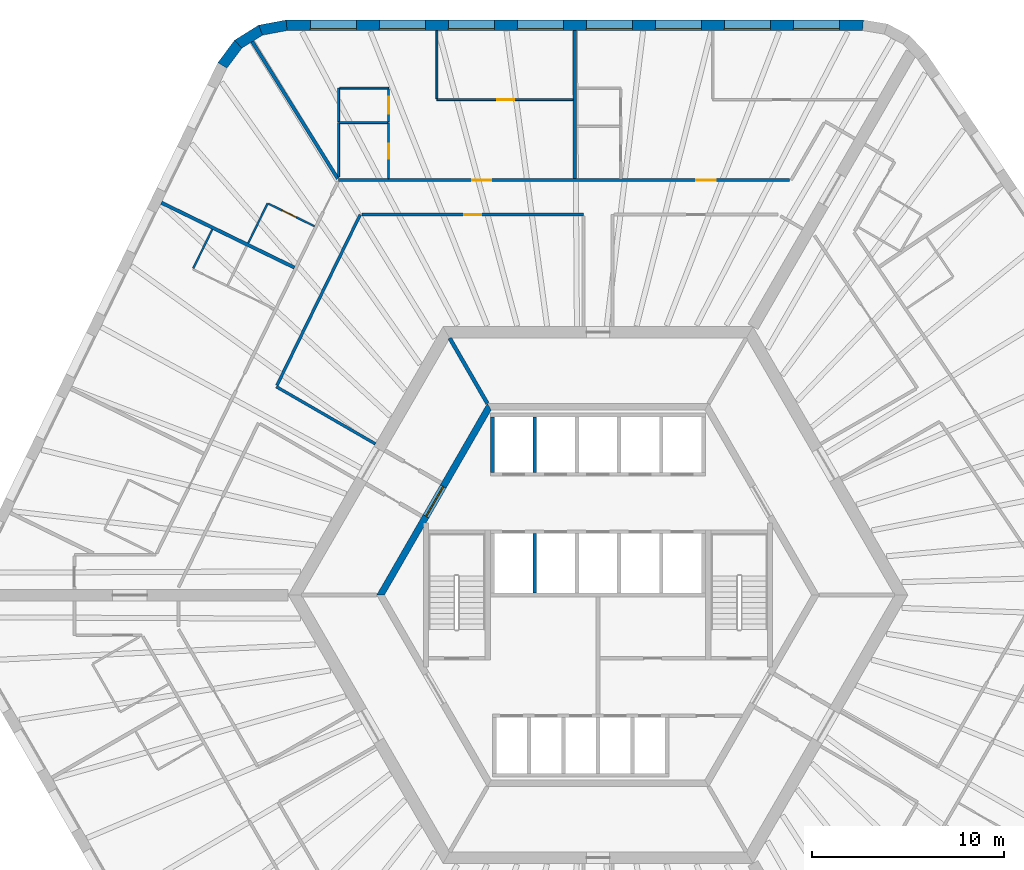
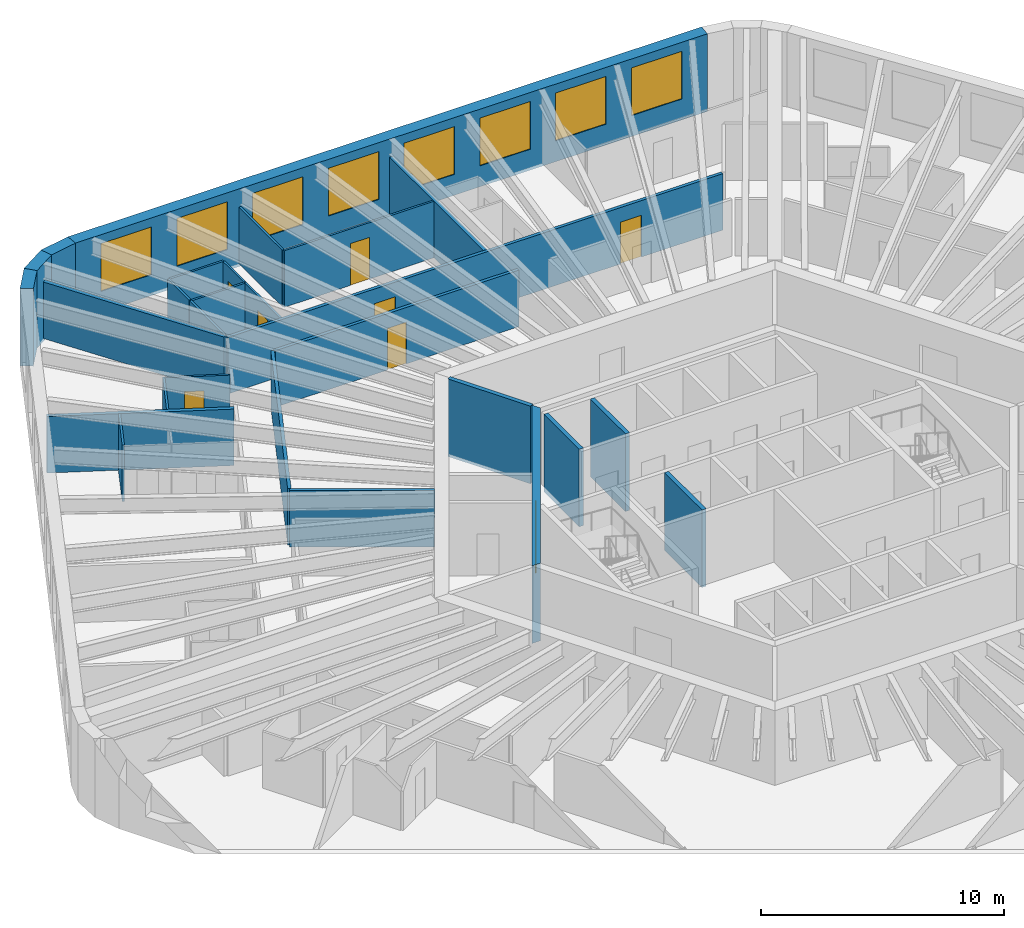
# One storey, part 8 of 12: 27 walls, 8 doors, 8 windows, 16 openings.
"""IFC4 building model written with IfcOpenShell, lengths in metres."""

import ifcopenshell
import ifcopenshell.guid

model = None  # the IFC model being written
_history = None  # IfcOwnerHistory: only IFC2X3 demands one
_inside = {}  # id of a spatial element -> (the spatial element, [elements in it])
_under = {}  # id of a project, library or spatial element -> (it, [spatial elements below it])
_declared = {}  # id of a project -> (the project, [libraries it declares])
_typed = {}  # id of a type object -> (the type object, [elements of that type])
_made_of = {}  # id of a material, layer set ... -> (it, [elements and type objects made of it])


def new_model(schema):
    """Start an empty IFC model of exactly this schema.

    Asked for "IFC4X3", IfcOpenShell would pick the latest addendum, in which some entities
    have other attributes; the version numbers below select the first issue.
    IFC2X3 requires an IfcOwnerHistory on every rooted entity: one is made here for all.
    """
    global model, _history
    if schema == "IFC4X3":
        model = ifcopenshell.file(schema_version=(4, 3, 0, 0))
    else:
        model = ifcopenshell.file(schema=schema)
    _inside.clear()
    _under.clear()
    _declared.clear()
    _typed.clear()
    _made_of.clear()
    _history = None
    if model.schema == "IFC2X3":
        org = make("IfcOrganization", Name="unknown")
        user = make(
            "IfcPersonAndOrganization",
            ThePerson=make("IfcPerson", FamilyName="unknown"),
            TheOrganization=org,
        )
        app = make(
            "IfcApplication",
            ApplicationDeveloper=org,
            Version="unknown",
            ApplicationFullName="unknown",
            ApplicationIdentifier="unknown",
        )
        _history = make(
            "IfcOwnerHistory",
            OwningUser=user,
            OwningApplication=app,
            ChangeAction="ADDED",
            CreationDate=0,
        )
    return model


def make(cls, **values):
    """One entity of the class cls with the attributes given. An attribute that is None is left unset."""
    return model.create_entity(
        cls, **{name: value for name, value in values.items() if value is not None}
    )


def rooted(cls, **values):
    """An entity with a GlobalId (a new one), such as an element, a storey or a relation."""
    return make(cls, GlobalId=ifcopenshell.guid.new(), OwnerHistory=_history, **values)


def si_unit(unit_type, name, prefix=None):
    """IfcSIUnit, for example si_unit("LENGTHUNIT", "METRE", prefix="MILLI")."""
    return make("IfcSIUnit", UnitType=unit_type, Prefix=prefix, Name=name)


def assignment(units):
    """IfcUnitAssignment: the units of a project."""
    return None if units is None else make("IfcUnitAssignment", Units=units)


def point(xyz):
    """IfcCartesianPoint."""
    return None if xyz is None else make("IfcCartesianPoint", Coordinates=xyz)


def direction(xyz):
    """IfcDirection."""
    return None if xyz is None else make("IfcDirection", DirectionRatios=xyz)


def frame(location, z_axis=None, x_axis=None):
    """IfcAxis2Placement3D, a coordinate frame: its origin and axes. An axis left out is left unset."""
    return make(
        "IfcAxis2Placement3D",
        Location=point(location),
        Axis=direction(z_axis),
        RefDirection=direction(x_axis),
    )


def frame_2d(location, x_axis=None):
    """IfcAxis2Placement2D, a coordinate frame in the plane: its origin and x axis."""
    return make(
        "IfcAxis2Placement2D", Location=point(location), RefDirection=direction(x_axis)
    )


def origin():
    """The frame at (0, 0, 0) with its axes left unset."""
    return frame((0.0, 0.0, 0.0))


def place(relative_to, where):
    """IfcLocalPlacement: puts the frame where relative to a parent placement (None: the world)."""
    return make(
        "IfcLocalPlacement", PlacementRelTo=relative_to, RelativePlacement=where
    )


def context(
    kind, dimensions, precision=None, world=None, true_north=None, identifier=None
):
    """IfcGeometricRepresentationContext, for example the 3D "Model" context."""
    return make(
        "IfcGeometricRepresentationContext",
        ContextIdentifier=identifier,
        ContextType=kind,
        CoordinateSpaceDimension=dimensions,
        Precision=precision,
        WorldCoordinateSystem=world,
        TrueNorth=true_north,
    )


def subcontext(parent, identifier, kind, view, scale=None):
    """IfcGeometricRepresentationSubContext, for example "Body" below "Model"."""
    return make(
        "IfcGeometricRepresentationSubContext",
        ContextIdentifier=identifier,
        ContextType=kind,
        ParentContext=parent,
        TargetScale=scale,
        TargetView=view,
    )


def project(units=None, contexts=None):
    """IfcProject with its units and contexts."""
    return rooted(
        "IfcProject",
        Name="project",
        RepresentationContexts=contexts,
        UnitsInContext=assignment(units),
    )


def spatial(cls, under=None, at=None, **own):
    """A site, building, storey or space (cls), placed at a placement, below another one or the project."""
    s = rooted(cls, ObjectPlacement=at, **own)
    if under is not None:
        _under.setdefault(under.id(), (under, []))[1].append(s)
    return s


def polyline(points):
    """IfcPolyline through the points."""
    return make("IfcPolyline", Points=[point(p) for p in points])


def profile(cls, at=None, kind="AREA", **sizes):
    """A parametric profile (cls). Its sizes go by their IFC names, for example OverallWidth=200.0."""
    return make(cls, ProfileType=kind, Position=at, **sizes)


def rectangle(**sizes):
    """IfcRectangleProfileDef."""
    return profile("IfcRectangleProfileDef", **sizes)


def outline(outer, holes=None, kind="AREA"):
    """IfcArbitraryClosedProfileDef: a profile drawn as a closed curve; with holes, ...WithVoids."""
    if holes is None:
        return make("IfcArbitraryClosedProfileDef", ProfileType=kind, OuterCurve=outer)
    return make(
        "IfcArbitraryProfileDefWithVoids",
        ProfileType=kind,
        OuterCurve=outer,
        InnerCurves=holes,
    )


def extrude(swept, where, along, depth):
    """IfcExtrudedAreaSolid: the profile swept, set in the frame where, extruded along a direction by depth."""
    return make(
        "IfcExtrudedAreaSolid",
        SweptArea=swept,
        Position=where,
        ExtrudedDirection=direction(along),
        Depth=depth,
    )


def shape(context_of_items, identifier, shape_type, items):
    """IfcShapeRepresentation: the items that make up one representation, for example the "Body"."""
    return make(
        "IfcShapeRepresentation",
        ContextOfItems=context_of_items,
        RepresentationIdentifier=identifier,
        RepresentationType=shape_type,
        Items=items,
    )


def material(Name=None, Category=None):
    """IfcMaterial."""
    return make("IfcMaterial", Name=Name, Category=Category)


def layer(
    of_material, thickness, ventilated=None, Name=None, Category=None, Priority=None
):
    """IfcMaterialLayer: one layer of a wall or slab, of a material (None: an air gap)."""
    return make(
        "IfcMaterialLayer",
        Material=of_material,
        LayerThickness=thickness,
        IsVentilated=ventilated,
        Name=Name,
        Category=Category,
        Priority=Priority,
    )


def layer_set(layers, Name=None):
    """IfcMaterialLayerSet."""
    return make("IfcMaterialLayerSet", MaterialLayers=layers, LayerSetName=Name)


def made_of(thing, what):
    """Note that an element or type object is made of a material, layer set ...; save() writes the relation."""
    if what is not None:
        _made_of.setdefault(what.id(), (what, []))[1].append(thing)
    return thing


def type_object(cls, material=None, **own):
    """A type object (cls), such as IfcWallType, which elements share."""
    return made_of(rooted(cls, **own), material)


def element(
    cls,
    number,
    at=None,
    inside=None,
    cuts=None,
    type_object=None,
    material=None,
    context=None,
    identifier="Body",
    shape_type=None,
    held_by="IfcProductDefinitionShape",
    body=None,
    shapes=None,
    **own,
):
    """One element of the class cls, such as IfcWall. Its Tag is "e" and its number.

    at: its placement. inside: the storey or other place that contains it. cuts: it is an
    opening in that element (IfcRelVoidsElement). A single representation is given by context,
    identifier, shape_type and body (its items); several are given by shapes. held_by: the class
    of the entity that holds the representations. save() writes the other relations.
    """
    e = rooted(cls, Tag="e%d" % number, ObjectPlacement=at, **own)
    if body is not None:
        shapes = [shape(context, identifier, shape_type, body)]
    if shapes is not None:
        e.Representation = make(held_by, Representations=shapes)
    if inside is not None:
        _inside.setdefault(inside.id(), (inside, []))[1].append(e)
    if cuts is not None:
        rooted(
            "IfcRelVoidsElement", RelatingBuildingElement=cuts, RelatedOpeningElement=e
        )
    if type_object is not None:
        _typed.setdefault(type_object.id(), (type_object, []))[1].append(e)
    return made_of(e, material)


def fill(opening, filler):
    """IfcRelFillsElement: the door or window that sits in an opening."""
    return rooted(
        "IfcRelFillsElement",
        RelatingOpeningElement=opening,
        RelatedBuildingElement=filler,
    )


def aggregate(whole, parts):
    """IfcRelAggregates: a whole, such as a stair, and the parts it consists of."""
    return rooted("IfcRelAggregates", RelatingObject=whole, RelatedObjects=parts)


def save(model, path):
    """Write the relations noted so far, then the file.

    IfcRelAggregates (storeys below a building ...), IfcRelContainedInSpatialStructure (elements
    in a storey), IfcRelDefinesByType, IfcRelAssociatesMaterial and IfcRelDeclares: one each for
    every whole, place, type object, material and project.
    """
    for whole, parts in _under.values():
        aggregate(whole, parts)
    for where, things in _inside.values():
        rooted(
            "IfcRelContainedInSpatialStructure",
            RelatedElements=things,
            RelatingStructure=where,
        )
    for kind, things in _typed.values():
        rooted("IfcRelDefinesByType", RelatedObjects=things, RelatingType=kind)
    for what, things in _made_of.values():
        rooted("IfcRelAssociatesMaterial", RelatedObjects=things, RelatingMaterial=what)
    for by, libraries in _declared.values():
        rooted("IfcRelDeclares", RelatingContext=by, RelatedDefinitions=libraries)
    model.write(path)


model = new_model("IFC4")

# Units and contexts
model_context = context("Model", 3, precision=1e-05, world=origin(), true_north=direction((0.0, 1.0)))
body_context = subcontext(model_context, "Body", "Model", "MODEL_VIEW")
ifc_project = project(units=[si_unit("LENGTHUNIT", "METRE"), si_unit("AREAUNIT", "SQUARE_METRE"), si_unit("VOLUMEUNIT", "CUBIC_METRE"), si_unit("PLANEANGLEUNIT", "RADIAN"), si_unit("MASSUNIT", "GRAM", prefix="KILO")], contexts=[model_context])

# Site, building, storey
site_placement = place(None, origin())
site = spatial("IfcSite", under=ifc_project, at=site_placement, CompositionType="ELEMENT")
building_placement = place(site_placement, origin())
building = spatial("IfcBuilding", under=site, at=building_placement, Name="Tarnside Tower", CompositionType="ELEMENT")
storey_placement = place(building_placement, frame((0.0, 0.0, 138.89990234375)))
storey = spatial("IfcBuildingStorey", under=building, at=storey_placement, Name="L32", CompositionType="ELEMENT", Elevation=138.89990234375)

# Wall
ifc_material_1 = material(Name="Gypsum board partition on steel studs", Category="steel")
ifc_layer_1 = layer(ifc_material_1, 0.10009765625)
ifc_layer_set_1 = layer_set([ifc_layer_1], Name="Bathroom wall 100")
wall_type_1 = type_object("IfcWallType", Name="Bathroom wall 100", PredefinedType="PARTITIONING", material=ifc_layer_set_1)
wall_1_placement = place(storey_placement, frame((-13.5283203125, 21.821044921875, 0.0), z_axis=(0.0, 0.0, 1.0), x_axis=(0.0, 1.0, 0.0)))
element("IfcWall", 1, at=wall_1_placement, inside=storey, type_object=wall_type_1, Name="Bathroom wall 10086", PredefinedType="PARTITIONING", context=body_context, shape_type="SweptSolid", body=[
    extrude(rectangle(XDim=2.828857421875, YDim=0.10009765625, at=frame_2d((1.41455078125, 0.0))), origin(), (0.0, 0.0, 1.0), 2.837890625),
])

# Wall, opening, door
wall_2_placement = place(storey_placement, frame((-10.928466796875, 24.64990234375, 0.0), z_axis=(0.0, 0.0, 1.0), x_axis=(0.0, -1.0, 0.0)))
wall_2 = element("IfcWall", 2, at=wall_2_placement, inside=storey, type_object=wall_type_1, Name="Bathroom wall 10087", PredefinedType="PARTITIONING", context=body_context, shape_type="SweptSolid", body=[
    extrude(rectangle(XDim=2.9248046875, YDim=0.10009765625, at=frame_2d((1.46240234375, 0.0))), origin(), (0.0, 0.0, 1.0), 2.837890625),
])
opening_1_placement = place(wall_2_placement, frame((1.10009765625, 0.0, 0.0)))
opening_1 = element("IfcOpeningElement", 3, at=opening_1_placement, cuts=wall_2, Name="Opening D-B1", PredefinedType="OPENING", context=body_context, shape_type="SweptSolid", body=[
    extrude(rectangle(XDim=0.800048828125, YDim=2.10009765625, at=frame_2d((0.39990234375, 1.050048828125))), frame((0.0, 0.06005859375, 0.0), z_axis=(0.0, -1.0, 0.0), x_axis=(1.0, 0.0, 0.0)), (0.0, 0.0, 1.0), 0.1201171875),
])
ifc_material_2 = material(Name="Timber door leaf", Category="wood")
door_type_1 = type_object("IfcDoorType", Name="Bathroom door 800", OperationType="NOTDEFINED", PredefinedType="DOOR", material=ifc_material_2)
door_1_placement = place(opening_1_placement, origin())
door_1 = element("IfcDoor", 4, at=door_1_placement, inside=storey, type_object=door_type_1, Name="Bathroom door 10006", OperationType="SINGLE_SWING_LEFT", OverallHeight=2.10009765625, OverallWidth=0.800048828125, PredefinedType="DOOR", context=body_context, shape_type="SweptSolid", body=[
    extrude(rectangle(XDim=0.800048828125, YDim=2.10009765625, at=frame_2d((0.39990234375, 1.050048828125))), frame((0.0, 0.02490234375, 0.0), z_axis=(0.0, -1.0, 0.0), x_axis=(1.0, 0.0, 0.0)), (0.0, 0.0, 1.0), 0.050048828125),
])
fill(opening_1, door_1)

# Walls
wall_3_placement = place(storey_placement, frame((-10.978515625, 24.64990234375, 0.0), z_axis=(0.0, 0.0, 1.0), x_axis=(-1.0, 0.0, 0.0)))
element("IfcWall", 5, at=wall_3_placement, inside=storey, type_object=wall_type_1, Name="Bathroom wall 10094", PredefinedType="PARTITIONING", context=body_context, shape_type="SweptSolid", body=[
    extrude(rectangle(XDim=2.5, YDim=0.10009765625, at=frame_2d((1.25, 0.0))), origin(), (0.0, 0.0, 1.0), 2.837890625),
])
wall_4_placement = place(storey_placement, frame((-18.248779296875, 18.35888671875, 0.0), z_axis=(0.0, 0.0, 1.0), x_axis=(0.438313261974, 0.898822276303, 0.0)))
element("IfcWall", 6, at=wall_4_placement, inside=storey, type_object=wall_type_1, Name="Bathroom wall 10095", PredefinedType="PARTITIONING", context=body_context, shape_type="SweptSolid", body=[
    extrude(rectangle(XDim=2.309814453125, YDim=0.10009765625, at=frame_2d((1.15478515625, 0.0))), origin(), (0.0, 0.0, 1.0), 2.837890625),
])

# Wall, opening, door
wall_5_placement = place(storey_placement, frame((-17.19140625, 20.4130859375, 0.0), z_axis=(0.0, 0.0, 1.0), x_axis=(0.898800897694, -0.438357099068, 0.0)))
wall_5 = element("IfcWall", 7, at=wall_5_placement, inside=storey, type_object=wall_type_1, Name="Bathroom wall 10096", PredefinedType="PARTITIONING", context=body_context, shape_type="SweptSolid", body=[
    extrude(rectangle(XDim=2.675048828125, YDim=0.10009765625, at=frame_2d((1.33740234375, 0.0))), origin(), (0.0, 0.0, 1.0), 2.837890625),
])
opening_2_placement = place(wall_5_placement, frame((0.81005859375, 0.0, 0.0)))
opening_2 = element("IfcOpeningElement", 8, at=opening_2_placement, cuts=wall_5, Name="Opening D-B1", PredefinedType="OPENING", context=body_context, shape_type="SweptSolid", body=[
    extrude(rectangle(XDim=0.800048828125, YDim=2.10009765625, at=frame_2d((0.39990234375, 1.050048828125))), frame((0.0, 0.06005859375, 0.0), z_axis=(0.0, -1.0, 0.0), x_axis=(1.0, 0.0, 0.0)), (0.0, 0.0, 1.0), 0.1201171875),
])
door_2_placement = place(opening_2_placement, origin())
door_2 = element("IfcDoor", 9, at=door_2_placement, inside=storey, type_object=door_type_1, Name="Bathroom door 10010", OperationType="SINGLE_SWING_RIGHT", OverallHeight=2.10009765625, OverallWidth=0.800048828125, PredefinedType="DOOR", context=body_context, shape_type="SweptSolid", body=[
    extrude(rectangle(XDim=0.800048828125, YDim=2.10009765625, at=frame_2d((0.39990234375, 1.050048828125))), frame((0.0, 0.02490234375, 0.0), z_axis=(0.0, -1.0, 0.0), x_axis=(1.0, 0.0, 0.0)), (0.0, 0.0, 1.0), 0.050048828125),
])
fill(opening_2, door_2)

ifc_material_3 = material(Name="Concrete C50/60", Category="concrete")
ifc_layer_2 = layer(ifc_material_3, 0.35009765625)
ifc_layer_set_2 = layer_set([ifc_layer_2], Name="Core block wall 350 C50/60")
wall_type_2 = type_object("IfcWallType", Name="Core block wall 350 C50/60", PredefinedType="SHEAR", material=ifc_layer_set_2)
wall_6_placement = place(storey_placement, frame((-5.672607421875, 9.824951171875, -0.14990234375), z_axis=(0.0, 0.0, 1.0), x_axis=(-0.499995046907, -0.866028263435, 0.0)))
wall_6 = element("IfcWall", 10, at=wall_6_placement, inside=storey, type_object=wall_type_2, Name="L32 core block wall face 2", PredefinedType="SHEAR", context=body_context, shape_type="SweptSolid", body=[
    extrude(outline(polyline([(-0.10107421875, -0.175048828125), (11.44580078125, -0.175048828125), (11.24365234375, 0.175048828125), (0.10107421875, 0.175048828125), (-0.10107421875, -0.175048828125)])), origin(), (0.0, 0.0, 1.0), 3.89990234375),
])
opening_3_placement = place(wall_6_placement, frame((4.80126953125, 0.0, 0.14990234375)))
opening_3 = element("IfcOpeningElement", 11, at=opening_3_placement, cuts=wall_6, Name="Opening CD-LOB", PredefinedType="OPENING", context=body_context, shape_type="SweptSolid", body=[
    extrude(rectangle(XDim=1.800048828125, YDim=2.39990234375, at=frame_2d((0.89990234375, 1.199951171875))), frame((0.0, 0.18505859375, 0.0), z_axis=(0.0, -1.0, 0.0), x_axis=(1.0, 0.0, 0.0)), (0.0, 0.0, 1.0), 0.3701171875),
])
ifc_material_4 = material(Name="Steel fire door", Category="steel")
door_type_2 = type_object("IfcDoorType", Name="Lobby double door FD30S 1800x2400", OperationType="NOTDEFINED", PredefinedType="DOOR", material=ifc_material_4)
door_3_placement = place(opening_3_placement, origin())
door_3 = element("IfcDoor", 12, at=door_3_placement, inside=storey, type_object=door_type_2, Name="L32 lobby block door P1", OperationType="DOUBLE_DOOR_SINGLE_SWING", OverallHeight=2.39990234375, OverallWidth=1.800048828125, PredefinedType="DOOR", context=body_context, shape_type="SweptSolid", body=[
    extrude(rectangle(XDim=1.800048828125, YDim=2.39990234375, at=frame_2d((0.89990234375, 1.199951171875))), frame((0.0, 0.02490234375, 0.0), z_axis=(0.0, -1.0, 0.0), x_axis=(1.0, 0.0, 0.0)), (0.0, 0.0, 1.0), 0.050048828125),
])
fill(opening_3, door_3)

# Wall, openings, doors
ifc_layer_3 = layer(ifc_material_1, 0.14990234375)
ifc_layer_set_3 = layer_set([ifc_layer_3], Name="Corridor wall 150 EI 60")
wall_type_3 = type_object("IfcWallType", Name="Corridor wall 150 EI 60", PredefinedType="PARTITIONING", material=ifc_layer_set_3)
wall_7_placement = place(storey_placement, frame((9.988037109375, 21.64990234375, 0.0), z_axis=(0.0, 0.0, 1.0), x_axis=(-1.0, 0.0, 0.0)))
wall_7 = element("IfcWall", 13, at=wall_7_placement, inside=storey, type_object=wall_type_3, Name="Corridor wall 10003", PredefinedType="PARTITIONING", context=body_context, shape_type="SweptSolid", body=[
    extrude(rectangle(XDim=23.516357421875, YDim=0.14990234375, at=frame_2d((11.75830078125, 0.0))), origin(), (0.0, 0.0, 1.0), 2.837890625),
])
opening_4_placement = place(wall_7_placement, frame((3.856201171875, 0.0, 0.0)))
opening_4 = element("IfcOpeningElement", 14, at=opening_4_placement, cuts=wall_7, Name="Opening D-E1", PredefinedType="OPENING", context=body_context, shape_type="SweptSolid", body=[
    extrude(rectangle(XDim=1.0, YDim=2.10009765625, at=frame_2d((0.5, 1.050048828125))), frame((0.0, 0.0849609375, 0.0), z_axis=(0.0, -1.0, 0.0), x_axis=(1.0, 0.0, 0.0)), (0.0, 0.0, 1.0), 0.169921875),
])
opening_5_placement = place(wall_7_placement, frame((15.557861328125, 0.0, 0.0)))
opening_5 = element("IfcOpeningElement", 15, at=opening_5_placement, cuts=wall_7, Name="Opening D-E1", PredefinedType="OPENING", context=body_context, shape_type="SweptSolid", body=[
    extrude(rectangle(XDim=1.0, YDim=2.10009765625, at=frame_2d((0.5, 1.050048828125))), frame((0.0, 0.0849609375, 0.0), z_axis=(0.0, -1.0, 0.0), x_axis=(1.0, 0.0, 0.0)), (0.0, 0.0, 1.0), 0.169921875),
])
door_type_3 = type_object("IfcDoorType", Name="Unit entrance door 1000 FD30S", OperationType="NOTDEFINED", PredefinedType="DOOR", material=ifc_material_2)
door_4_placement = place(opening_4_placement, origin())
door_4 = element("IfcDoor", 16, at=door_4_placement, inside=storey, type_object=door_type_3, Name="Unit door 10001", OperationType="SINGLE_SWING_RIGHT", OverallHeight=2.10009765625, OverallWidth=1.0, PredefinedType="DOOR", context=body_context, shape_type="SweptSolid", body=[
    extrude(rectangle(XDim=1.0, YDim=2.10009765625, at=frame_2d((0.5, 1.050048828125))), frame((0.0, 0.02490234375, 0.0), z_axis=(0.0, -1.0, 0.0), x_axis=(1.0, 0.0, 0.0)), (0.0, 0.0, 1.0), 0.050048828125),
])
fill(opening_4, door_4)
door_5_placement = place(opening_5_placement, origin())
door_5 = element("IfcDoor", 17, at=door_5_placement, inside=storey, type_object=door_type_3, Name="Unit door 10005", OperationType="SINGLE_SWING_LEFT", OverallHeight=2.10009765625, OverallWidth=1.0, PredefinedType="DOOR", context=body_context, shape_type="SweptSolid", body=[
    extrude(rectangle(XDim=1.0, YDim=2.10009765625, at=frame_2d((0.5, 1.050048828125))), frame((0.0, 0.02490234375, 0.0), z_axis=(0.0, -1.0, 0.0), x_axis=(1.0, 0.0, 0.0)), (0.0, 0.0, 1.0), 0.050048828125),
])
fill(opening_5, door_5)

# Walls
wall_8_placement = place(storey_placement, frame((-11.61376953125, 7.88427734375, 0.0), z_axis=(0.0, 0.0, 1.0), x_axis=(-0.866017375886, 0.50001390447, 0.0)))
element("IfcWall", 18, at=wall_8_placement, inside=storey, type_object=wall_type_3, Name="Corridor wall 10016", PredefinedType="PARTITIONING", context=body_context, shape_type="SweptSolid", body=[
    extrude(rectangle(XDim=5.969970703125, YDim=0.14990234375, at=frame_2d((2.98486328125, 0.0))), origin(), (0.0, 0.0, 1.0), 2.837890625),
])
wall_9_placement = place(storey_placement, frame((-16.7509765625, 10.936767578125, 0.0), z_axis=(0.0, 0.0, 1.0), x_axis=(0.438378523504, 0.898790448397, 0.0)))
element("IfcWall", 19, at=wall_9_placement, inside=storey, type_object=wall_type_3, Name="Corridor wall 10017", PredefinedType="PARTITIONING", context=body_context, shape_type="SweptSolid", body=[
    extrude(rectangle(XDim=9.9169921875, YDim=0.14990234375, at=frame_2d((4.95849609375, 0.0))), origin(), (0.0, 0.0, 1.0), 2.837890625),
])

# Wall, opening, door
wall_10_placement = place(storey_placement, frame((-12.3203125, 19.85009765625, 0.0), z_axis=(0.0, 0.0, 1.0), x_axis=(1.0, 0.0, 0.0)))
wall_10 = element("IfcWall", 20, at=wall_10_placement, inside=storey, type_object=wall_type_3, Name="Corridor wall 10018", PredefinedType="PARTITIONING", context=body_context, shape_type="SweptSolid", body=[
    extrude(rectangle(XDim=11.5703125, YDim=0.14990234375, at=frame_2d((5.78515625, 0.0))), origin(), (0.0, 0.0, 1.0), 2.837890625),
])
opening_6_placement = place(wall_10_placement, frame((5.335205078125, 0.0, 0.0)))
opening_6 = element("IfcOpeningElement", 21, at=opening_6_placement, cuts=wall_10, Name="Opening D-S1", PredefinedType="OPENING", context=body_context, shape_type="SweptSolid", body=[
    extrude(rectangle(XDim=0.89990234375, YDim=2.10009765625, at=frame_2d((0.449951171875, 1.050048828125))), frame((0.0, 0.0849609375, 0.0), z_axis=(0.0, -1.0, 0.0), x_axis=(1.0, 0.0, 0.0)), (0.0, 0.0, 1.0), 0.169921875),
])
door_type_4 = type_object("IfcDoorType", Name="Service room door 900 FD30S", OperationType="NOTDEFINED", PredefinedType="DOOR", material=ifc_material_2)
door_6_placement = place(opening_6_placement, origin())
door_6 = element("IfcDoor", 22, at=door_6_placement, inside=storey, type_object=door_type_4, Name="Service door 10042", OperationType="SINGLE_SWING_RIGHT", OverallHeight=2.10009765625, OverallWidth=0.89990234375, PredefinedType="DOOR", context=body_context, shape_type="SweptSolid", body=[
    extrude(rectangle(XDim=0.89990234375, YDim=2.10009765625, at=frame_2d((0.449951171875, 1.050048828125))), frame((0.0, 0.02490234375, 0.0), z_axis=(0.0, -1.0, 0.0), x_axis=(1.0, 0.0, 0.0)), (0.0, 0.0, 1.0), 0.050048828125),
])
fill(opening_6, door_6)

# Walls
ifc_layer_4 = layer(ifc_material_1, 0.179931640625)
ifc_layer_set_4 = layer_set([ifc_layer_4], Name="Demising wall 180 EI 60")
wall_type_4 = type_object("IfcWallType", Name="Demising wall 180 EI 60", PredefinedType="PARTITIONING", material=ifc_layer_set_4)
wall_11_placement = place(storey_placement, frame((-1.2109375, 29.449951171875, 0.0), z_axis=(0.0, 0.0, 1.0), x_axis=(0.0, -1.0, 0.0)))
element("IfcWall", 23, at=wall_11_placement, inside=storey, type_object=wall_type_4, Name="Demising wall 10081", PredefinedType="PARTITIONING", context=body_context, shape_type="SweptSolid", body=[
    extrude(rectangle(XDim=7.724853515625, YDim=0.179931640625, at=frame_2d((3.8623046875, 0.0))), origin(), (0.0, 0.0, 1.0), 2.837890625),
])
wall_12_placement = place(storey_placement, frame((-18.040771484375, 28.87109375, 0.0), z_axis=(0.0, 0.0, 1.0), x_axis=(0.52994164425, -0.848034111159, 0.0)))
element("IfcWall", 24, at=wall_12_placement, inside=storey, type_object=wall_type_4, Name="Demising wall 10093", PredefinedType="PARTITIONING", context=body_context, shape_type="SweptSolid", body=[
    extrude(rectangle(XDim=8.426513671875, YDim=0.179931640625, at=frame_2d((4.21337890625, 0.0))), origin(), (0.0, 0.0, 1.0), 2.837890625),
])
wall_13_placement = place(storey_placement, frame((-22.7822265625, 20.469970703125, 0.0), z_axis=(0.0, 0.0, 1.0), x_axis=(0.898789402655, -0.438380667542, 0.0)))
element("IfcWall", 25, at=wall_13_placement, inside=storey, type_object=wall_type_4, Name="Demising wall 10097", PredefinedType="PARTITIONING", context=body_context, shape_type="SweptSolid", body=[
    extrude(rectangle(XDim=7.724853515625, YDim=0.179931640625, at=frame_2d((3.8623046875, 0.0))), origin(), (0.0, 0.0, 1.0), 2.837890625),
])
ifc_material_5 = material(Name="Concrete C40/50", Category="concrete")
ifc_layer_5 = layer(ifc_material_5, 0.199951171875)
ifc_layer_set_5 = layer_set([ifc_layer_5], Name="Lift shaft wall 200 C40/50")
wall_type_5 = type_object("IfcWallType", Name="Lift shaft wall 200 C40/50", PredefinedType="SHEAR", material=ifc_layer_set_5)
for number, where, z_axis, x_axis, name in (
    (26, (-5.5, 6.39990234375, -0.25), (0.0, 0.0, 1.0), (0.0, 1.0, 0.0), "L32 lift shaft partition R11"),
    (27, (-3.300048828125, 6.39990234375, -0.25), (0.0, 0.0, 1.0), (0.0, 1.0, 0.0), "L32 lift shaft partition R12"),
):
    element("IfcWall", number, at=place(storey_placement, frame(where, z_axis=z_axis, x_axis=x_axis)), inside=storey, type_object=wall_type_5, Name=name, PredefinedType="SHEAR", context=body_context, shape_type="SweptSolid", body=[
        extrude(rectangle(XDim=2.900146484375, YDim=0.199951171875, at=frame_2d((1.4501953125, 0.0))), origin(), (0.0, 0.0, 1.0), 3.900146484375),
    ])
wall_14_placement = place(storey_placement, frame((-3.300048828125, 0.10009765625, -0.25), z_axis=(0.0, 0.0, 1.0), x_axis=(0.0, 1.0, 0.0)))
element("IfcWall", 28, at=wall_14_placement, inside=storey, type_object=wall_type_5, Name="L32 lift shaft partition R22", PredefinedType="SHEAR", context=body_context, shape_type="SweptSolid", body=[
    extrude(rectangle(XDim=3.099853515625, YDim=0.199951171875, at=frame_2d((1.5498046875, 0.0))), origin(), (0.0, 0.0, 1.0), 3.900146484375),
])
wall_15_placement = place(storey_placement, frame((-5.7734375, 10.0, -0.14990234375), z_axis=(0.0, 0.0, 1.0), x_axis=(-0.500038251005, 0.86600331843, 0.0)))
element("IfcWall", 29, at=wall_15_placement, inside=storey, type_object=wall_type_5, Name="L32 core partition AR120", PredefinedType="SHEAR", context=body_context, shape_type="SweptSolid", body=[
    extrude(rectangle(XDim=3.926025390625, YDim=0.199951171875, at=frame_2d((1.962890625, 0.0))), origin(), (0.0, 0.0, 1.0), 3.89990234375),
])
ifc_layer_6 = layer(ifc_material_1, 0.10009765625)
ifc_layer_set_6 = layer_set([ifc_layer_6], Name="Partition 100")
wall_type_6 = type_object("IfcWallType", Name="Partition 100", PredefinedType="PARTITIONING", material=ifc_layer_set_6)
wall_16_placement = place(storey_placement, frame((-13.5283203125, 24.699951171875, 0.0), z_axis=(0.0, 0.0, 1.0), x_axis=(0.0, 1.0, 0.0)))
element("IfcWall", 30, at=wall_16_placement, inside=storey, type_object=wall_type_6, Name="Partition wall 10088", PredefinedType="PARTITIONING", context=body_context, shape_type="SweptSolid", body=[
    extrude(rectangle(XDim=1.75, YDim=0.10009765625, at=frame_2d((0.875, 0.0))), origin(), (0.0, 0.0, 1.0), 2.837890625),
])
wall_17_placement = place(storey_placement, frame((-13.478515625, 26.449951171875, 0.0), z_axis=(0.0, 0.0, 1.0), x_axis=(1.0, 0.0, 0.0)))
element("IfcWall", 31, at=wall_17_placement, inside=storey, type_object=wall_type_6, Name="Partition wall 10089", PredefinedType="PARTITIONING", context=body_context, shape_type="SweptSolid", body=[
    extrude(rectangle(XDim=2.550048828125, YDim=0.10009765625, at=frame_2d((1.27490234375, 0.0))), origin(), (0.0, 0.0, 1.0), 2.837890625),
])

# Wall, opening, door
wall_18_placement = place(storey_placement, frame((-10.928466796875, 26.39990234375, 0.0), z_axis=(0.0, 0.0, 1.0), x_axis=(0.0, -1.0, 0.0)))
wall_18 = element("IfcWall", 32, at=wall_18_placement, inside=storey, type_object=wall_type_6, Name="Partition wall 10090", PredefinedType="PARTITIONING", context=body_context, shape_type="SweptSolid", body=[
    extrude(rectangle(XDim=1.699951171875, YDim=0.10009765625, at=frame_2d((0.85009765625, 0.0))), origin(), (0.0, 0.0, 1.0), 2.837890625),
])
opening_7_placement = place(wall_18_placement, frame((0.39990234375, 0.0, 0.0)))
opening_7 = element("IfcOpeningElement", 33, at=opening_7_placement, cuts=wall_18, Name="Opening D-I1", PredefinedType="OPENING", context=body_context, shape_type="SweptSolid", body=[
    extrude(rectangle(XDim=0.89990234375, YDim=2.10009765625, at=frame_2d((0.449951171875, 1.050048828125))), frame((0.0, 0.06005859375, 0.0), z_axis=(0.0, -1.0, 0.0), x_axis=(1.0, 0.0, 0.0)), (0.0, 0.0, 1.0), 0.1201171875),
])
door_type_5 = type_object("IfcDoorType", Name="Internal door 900", OperationType="NOTDEFINED", PredefinedType="DOOR", material=ifc_material_2)
door_7_placement = place(opening_7_placement, origin())
door_7 = element("IfcDoor", 34, at=door_7_placement, inside=storey, type_object=door_type_5, Name="Internal door 10007", OperationType="SINGLE_SWING_RIGHT", OverallHeight=2.10009765625, OverallWidth=0.89990234375, PredefinedType="DOOR", context=body_context, shape_type="SweptSolid", body=[
    extrude(rectangle(XDim=0.89990234375, YDim=2.10009765625, at=frame_2d((0.449951171875, 1.050048828125))), frame((0.0, 0.02490234375, 0.0), z_axis=(0.0, -1.0, 0.0), x_axis=(1.0, 0.0, 0.0)), (0.0, 0.0, 1.0), 0.050048828125),
])
fill(opening_7, door_7)

wall_19_placement = place(storey_placement, frame((-1.301025390625, 25.85009765625, 0.0), z_axis=(0.0, 0.0, 1.0), x_axis=(-1.0, 0.0, 0.0)))
wall_19 = element("IfcWall", 35, at=wall_19_placement, inside=storey, type_object=wall_type_6, Name="Partition wall 10091", PredefinedType="PARTITIONING", context=body_context, shape_type="SweptSolid", body=[
    extrude(rectangle(XDim=7.110107421875, YDim=0.10009765625, at=frame_2d((3.55517578125, 0.0))), origin(), (0.0, 0.0, 1.0), 2.837890625),
])
opening_8_placement = place(wall_19_placement, frame((3.06005859375, 0.0, 0.0)))
opening_8 = element("IfcOpeningElement", 36, at=opening_8_placement, cuts=wall_19, Name="Opening D-I1", PredefinedType="OPENING", context=body_context, shape_type="SweptSolid", body=[
    extrude(rectangle(XDim=0.89990234375, YDim=2.10009765625, at=frame_2d((0.449951171875, 1.050048828125))), frame((0.0, 0.06005859375, 0.0), z_axis=(0.0, -1.0, 0.0), x_axis=(1.0, 0.0, 0.0)), (0.0, 0.0, 1.0), 0.1201171875),
])
door_8_placement = place(opening_8_placement, origin())
door_8 = element("IfcDoor", 37, at=door_8_placement, inside=storey, type_object=door_type_5, Name="Internal door 10008", OperationType="SINGLE_SWING_RIGHT", OverallHeight=2.10009765625, OverallWidth=0.89990234375, PredefinedType="DOOR", context=body_context, shape_type="SweptSolid", body=[
    extrude(rectangle(XDim=0.89990234375, YDim=2.10009765625, at=frame_2d((0.449951171875, 1.050048828125))), frame((0.0, 0.02490234375, 0.0), z_axis=(0.0, -1.0, 0.0), x_axis=(1.0, 0.0, 0.0)), (0.0, 0.0, 1.0), 0.050048828125),
])
fill(opening_8, door_8)

# Walls
wall_20_placement = place(storey_placement, frame((-8.4111328125, 25.89990234375, 0.0), z_axis=(0.0, 0.0, 1.0), x_axis=(0.0, 1.0, 0.0)))
element("IfcWall", 38, at=wall_20_placement, inside=storey, type_object=wall_type_6, Name="Partition wall 10092", PredefinedType="PARTITIONING", context=body_context, shape_type="SweptSolid", body=[
    extrude(rectangle(XDim=3.550048828125, YDim=0.10009765625, at=frame_2d((1.77490234375, 0.0))), origin(), (0.0, 0.0, 1.0), 2.837890625),
])
wall_21_placement = place(storey_placement, frame((-21.1162109375, 17.04248046875, 0.0), z_axis=(0.0, 0.0, 1.0), x_axis=(0.438334246956, 0.898812042613, 0.0)))
element("IfcWall", 39, at=wall_21_placement, inside=storey, type_object=wall_type_6, Name="Partition wall 10102", PredefinedType="PARTITIONING", context=body_context, shape_type="SweptSolid", body=[
    extrude(rectangle(XDim=2.26025390625, YDim=0.10009765625, at=frame_2d((1.130126953125, 0.0))), origin(), (0.0, 0.0, 1.0), 2.837890625),
])

# Wall, openings, windows
ifc_material_6 = material(Name="Facing brick", Category="masonry")
ifc_layer_7 = layer(ifc_material_6, 0.10205078125)
ifc_material_7 = material(Name="Concrete C60/75 precast", Category="concrete")
ifc_layer_8 = layer(ifc_material_7, 0.347900390625)
ifc_material_8 = material(Name="Mineral wool insulation")
ifc_layer_9 = layer(ifc_material_8, 0.10009765625)
ifc_layer_set_7 = layer_set([ifc_layer_7, ifc_layer_8, ifc_layer_9], Name="Tube wall 550 brick faced")
wall_type_7 = type_object("IfcWallType", Name="Tube wall 550 brick faced", PredefinedType="SOLIDWALL", material=ifc_layer_set_7)
wall_22_placement = place(storey_placement, frame((13.824462890625, 29.72509765625, -0.14990234375), z_axis=(0.0, 0.0, 1.0), x_axis=(-1.0, 0.0, 0.0)))
wall_22 = element("IfcWall", 40, at=wall_22_placement, inside=storey, type_object=wall_type_7, Name="Tube wall L32 F1 flush 00", PredefinedType="SOLIDWALL", context=body_context, shape_type="SweptSolid", body=[
    extrude(outline(polyline([(-0.0224609375, -0.27490234375), (30.0966796875, -0.27490234375), (30.04541015625, 0.27490234375), (0.0224609375, 0.27490234375), (-0.0224609375, -0.27490234375)])), origin(), (0.0, 0.0, 1.0), 3.89990234375),
])
opening_9_placement = place(wall_22_placement, frame((1.235595703125, 0.0, 1.050048828125)))
opening_9 = element("IfcOpeningElement", 41, at=opening_9_placement, cuts=wall_22, Name="Opening WH", PredefinedType="OPENING", context=body_context, shape_type="SweptSolid", body=[
    extrude(rectangle(XDim=2.39990234375, YDim=2.39990234375, at=frame_2d((1.199951171875, 1.199951171875))), frame((0.0, 0.28515625, 0.0), z_axis=(0.0, -1.0, 0.0), x_axis=(1.0, 0.0, 0.0)), (0.0, 0.0, 1.0), 0.570068359375),
])
opening_10_placement = place(wall_22_placement, frame((4.83544921875, 0.0, 1.050048828125)))
opening_10 = element("IfcOpeningElement", 42, at=opening_10_placement, cuts=wall_22, Name="Opening WH", PredefinedType="OPENING", context=body_context, shape_type="SweptSolid", body=[
    extrude(rectangle(XDim=2.39990234375, YDim=2.39990234375, at=frame_2d((1.199951171875, 1.199951171875))), frame((0.0, 0.28515625, 0.0), z_axis=(0.0, -1.0, 0.0), x_axis=(1.0, 0.0, 0.0)), (0.0, 0.0, 1.0), 0.570068359375),
])
opening_11_placement = place(wall_22_placement, frame((8.435546875, 0.0, 1.050048828125)))
opening_11 = element("IfcOpeningElement", 43, at=opening_11_placement, cuts=wall_22, Name="Opening WH", PredefinedType="OPENING", context=body_context, shape_type="SweptSolid", body=[
    extrude(rectangle(XDim=2.39990234375, YDim=2.39990234375, at=frame_2d((1.199951171875, 1.199951171875))), frame((0.0, 0.28515625, 0.0), z_axis=(0.0, -1.0, 0.0), x_axis=(1.0, 0.0, 0.0)), (0.0, 0.0, 1.0), 0.570068359375),
])
opening_12_placement = place(wall_22_placement, frame((12.035400390625, 0.0, 1.050048828125)))
opening_12 = element("IfcOpeningElement", 44, at=opening_12_placement, cuts=wall_22, Name="Opening WH", PredefinedType="OPENING", context=body_context, shape_type="SweptSolid", body=[
    extrude(rectangle(XDim=2.39990234375, YDim=2.39990234375, at=frame_2d((1.199951171875, 1.199951171875))), frame((0.0, 0.28515625, 0.0), z_axis=(0.0, -1.0, 0.0), x_axis=(1.0, 0.0, 0.0)), (0.0, 0.0, 1.0), 0.570068359375),
])
opening_13_placement = place(wall_22_placement, frame((15.635498046875, 0.0, 1.050048828125)))
opening_13 = element("IfcOpeningElement", 45, at=opening_13_placement, cuts=wall_22, Name="Opening WH", PredefinedType="OPENING", context=body_context, shape_type="SweptSolid", body=[
    extrude(rectangle(XDim=2.39990234375, YDim=2.39990234375, at=frame_2d((1.199951171875, 1.199951171875))), frame((0.0, 0.28515625, 0.0), z_axis=(0.0, -1.0, 0.0), x_axis=(1.0, 0.0, 0.0)), (0.0, 0.0, 1.0), 0.570068359375),
])
opening_14_placement = place(wall_22_placement, frame((19.235595703125, 0.0, 1.050048828125)))
opening_14 = element("IfcOpeningElement", 46, at=opening_14_placement, cuts=wall_22, Name="Opening WH", PredefinedType="OPENING", context=body_context, shape_type="SweptSolid", body=[
    extrude(rectangle(XDim=2.39990234375, YDim=2.39990234375, at=frame_2d((1.199951171875, 1.199951171875))), frame((0.0, 0.28515625, 0.0), z_axis=(0.0, -1.0, 0.0), x_axis=(1.0, 0.0, 0.0)), (0.0, 0.0, 1.0), 0.570068359375),
])
opening_15_placement = place(wall_22_placement, frame((22.83544921875, 0.0, 1.050048828125)))
opening_15 = element("IfcOpeningElement", 47, at=opening_15_placement, cuts=wall_22, Name="Opening WH", PredefinedType="OPENING", context=body_context, shape_type="SweptSolid", body=[
    extrude(rectangle(XDim=2.39990234375, YDim=2.39990234375, at=frame_2d((1.199951171875, 1.199951171875))), frame((0.0, 0.28515625, 0.0), z_axis=(0.0, -1.0, 0.0), x_axis=(1.0, 0.0, 0.0)), (0.0, 0.0, 1.0), 0.570068359375),
])
opening_16_placement = place(wall_22_placement, frame((26.435546875, 0.0, 1.050048828125)))
opening_16 = element("IfcOpeningElement", 48, at=opening_16_placement, cuts=wall_22, Name="Opening WH", PredefinedType="OPENING", context=body_context, shape_type="SweptSolid", body=[
    extrude(rectangle(XDim=2.39990234375, YDim=2.39990234375, at=frame_2d((1.199951171875, 1.199951171875))), frame((0.0, 0.28515625, 0.0), z_axis=(0.0, -1.0, 0.0), x_axis=(1.0, 0.0, 0.0)), (0.0, 0.0, 1.0), 0.570068359375),
])
ifc_material_9 = material(Name="Aluminium-framed double glazing", Category="aluminium")
window_type = type_object("IfcWindowType", Name="Hotel window 2400 x 2400", PartitioningType="DOUBLE_PANEL_VERTICAL", PredefinedType="WINDOW", material=ifc_material_9)
window_1_placement = place(opening_9_placement, frame((0.0, 0.205078125, 0.0)))
window_1 = element("IfcWindow", 49, at=window_1_placement, inside=storey, type_object=window_type, Name="E.WN.L32.F1.00", OverallHeight=2.39990234375, OverallWidth=2.39990234375, PartitioningType="DOUBLE_PANEL_VERTICAL", PredefinedType="WINDOW", context=body_context, shape_type="SweptSolid", body=[
    extrude(rectangle(XDim=2.39990234375, YDim=2.39990234375, at=frame_2d((1.199951171875, 1.199951171875))), frame((0.0, 0.030029296875, 0.0), z_axis=(0.0, -1.0, 0.0), x_axis=(1.0, 0.0, 0.0)), (0.0, 0.0, 1.0), 0.06005859375),
])
fill(opening_9, window_1)
window_2_placement = place(opening_10_placement, frame((0.0, 0.205078125, 0.0)))
window_2 = element("IfcWindow", 50, at=window_2_placement, inside=storey, type_object=window_type, Name="E.WN.L32.F1.01", OverallHeight=2.39990234375, OverallWidth=2.39990234375, PartitioningType="DOUBLE_PANEL_VERTICAL", PredefinedType="WINDOW", context=body_context, shape_type="SweptSolid", body=[
    extrude(rectangle(XDim=2.39990234375, YDim=2.39990234375, at=frame_2d((1.199951171875, 1.199951171875))), frame((0.0, 0.030029296875, 0.0), z_axis=(0.0, -1.0, 0.0), x_axis=(1.0, 0.0, 0.0)), (0.0, 0.0, 1.0), 0.06005859375),
])
fill(opening_10, window_2)
window_3_placement = place(opening_11_placement, frame((0.0, 0.205078125, 0.0)))
window_3 = element("IfcWindow", 51, at=window_3_placement, inside=storey, type_object=window_type, Name="E.WN.L32.F1.02", OverallHeight=2.39990234375, OverallWidth=2.39990234375, PartitioningType="DOUBLE_PANEL_VERTICAL", PredefinedType="WINDOW", context=body_context, shape_type="SweptSolid", body=[
    extrude(rectangle(XDim=2.39990234375, YDim=2.39990234375, at=frame_2d((1.199951171875, 1.199951171875))), frame((0.0, 0.030029296875, 0.0), z_axis=(0.0, -1.0, 0.0), x_axis=(1.0, 0.0, 0.0)), (0.0, 0.0, 1.0), 0.06005859375),
])
fill(opening_11, window_3)
window_4_placement = place(opening_12_placement, frame((0.0, 0.205078125, 0.0)))
window_4 = element("IfcWindow", 52, at=window_4_placement, inside=storey, type_object=window_type, Name="E.WN.L32.F1.03", OverallHeight=2.39990234375, OverallWidth=2.39990234375, PartitioningType="DOUBLE_PANEL_VERTICAL", PredefinedType="WINDOW", context=body_context, shape_type="SweptSolid", body=[
    extrude(rectangle(XDim=2.39990234375, YDim=2.39990234375, at=frame_2d((1.199951171875, 1.199951171875))), frame((0.0, 0.030029296875, 0.0), z_axis=(0.0, -1.0, 0.0), x_axis=(1.0, 0.0, 0.0)), (0.0, 0.0, 1.0), 0.06005859375),
])
fill(opening_12, window_4)
window_5_placement = place(opening_13_placement, frame((0.0, 0.205078125, 0.0)))
window_5 = element("IfcWindow", 53, at=window_5_placement, inside=storey, type_object=window_type, Name="E.WN.L32.F1.04", OverallHeight=2.39990234375, OverallWidth=2.39990234375, PartitioningType="DOUBLE_PANEL_VERTICAL", PredefinedType="WINDOW", context=body_context, shape_type="SweptSolid", body=[
    extrude(rectangle(XDim=2.39990234375, YDim=2.39990234375, at=frame_2d((1.199951171875, 1.199951171875))), frame((0.0, 0.030029296875, 0.0), z_axis=(0.0, -1.0, 0.0), x_axis=(1.0, 0.0, 0.0)), (0.0, 0.0, 1.0), 0.06005859375),
])
fill(opening_13, window_5)
window_6_placement = place(opening_14_placement, frame((0.0, 0.205078125, 0.0)))
window_6 = element("IfcWindow", 54, at=window_6_placement, inside=storey, type_object=window_type, Name="E.WN.L32.F1.05", OverallHeight=2.39990234375, OverallWidth=2.39990234375, PartitioningType="DOUBLE_PANEL_VERTICAL", PredefinedType="WINDOW", context=body_context, shape_type="SweptSolid", body=[
    extrude(rectangle(XDim=2.39990234375, YDim=2.39990234375, at=frame_2d((1.199951171875, 1.199951171875))), frame((0.0, 0.030029296875, 0.0), z_axis=(0.0, -1.0, 0.0), x_axis=(1.0, 0.0, 0.0)), (0.0, 0.0, 1.0), 0.06005859375),
])
fill(opening_14, window_6)
window_7_placement = place(opening_15_placement, frame((0.0, 0.205078125, 0.0)))
window_7 = element("IfcWindow", 55, at=window_7_placement, inside=storey, type_object=window_type, Name="E.WN.L32.F1.06", OverallHeight=2.39990234375, OverallWidth=2.39990234375, PartitioningType="DOUBLE_PANEL_VERTICAL", PredefinedType="WINDOW", context=body_context, shape_type="SweptSolid", body=[
    extrude(rectangle(XDim=2.39990234375, YDim=2.39990234375, at=frame_2d((1.199951171875, 1.199951171875))), frame((0.0, 0.030029296875, 0.0), z_axis=(0.0, -1.0, 0.0), x_axis=(1.0, 0.0, 0.0)), (0.0, 0.0, 1.0), 0.06005859375),
])
fill(opening_15, window_7)
window_8_placement = place(opening_16_placement, frame((0.0, 0.205078125, 0.0)))
window_8 = element("IfcWindow", 56, at=window_8_placement, inside=storey, type_object=window_type, Name="E.WN.L32.F1.07", OverallHeight=2.39990234375, OverallWidth=2.39990234375, PartitioningType="DOUBLE_PANEL_VERTICAL", PredefinedType="WINDOW", context=body_context, shape_type="SweptSolid", body=[
    extrude(rectangle(XDim=2.39990234375, YDim=2.39990234375, at=frame_2d((1.199951171875, 1.199951171875))), frame((0.0, 0.030029296875, 0.0), z_axis=(0.0, -1.0, 0.0), x_axis=(1.0, 0.0, 0.0)), (0.0, 0.0, 1.0), 0.06005859375),
])
fill(opening_16, window_8)

# Walls
wall_23_placement = place(storey_placement, frame((-16.24658203125, 29.72509765625, -0.14990234375), z_axis=(0.0, 0.0, 1.0), x_axis=(-0.982705443133, -0.185175624845, 0.0)))
element("IfcWall", 57, at=wall_23_placement, inside=storey, type_object=wall_type_7, Name="Tube wall L32 F1 chord 01", PredefinedType="SOLIDWALL", context=body_context, shape_type="SweptSolid", body=[
    extrude(outline(polyline([(-0.025634765625, -0.27490234375), (1.430908203125, -0.27490234375), (1.327392578125, 0.27490234375), (0.025634765625, 0.27490234375), (-0.025634765625, -0.27490234375)])), origin(), (0.0, 0.0, 1.0), 3.89990234375),
])
wall_24_placement = place(storey_placement, frame((-17.601806640625, 29.4697265625, -0.14990234375), z_axis=(0.0, 0.0, 1.0), x_axis=(-0.848057977594, -0.5299034503, 0.0)))
element("IfcWall", 58, at=wall_24_placement, inside=storey, type_object=wall_type_7, Name="Tube wall L32 F1 chord 02", PredefinedType="SOLIDWALL", context=body_context, shape_type="SweptSolid", body=[
    extrude(outline(polyline([(-0.0517578125, -0.27490234375), (1.4306640625, -0.27490234375), (1.3271484375, 0.27490234375), (0.0517578125, 0.27490234375), (-0.0517578125, -0.27490234375)])), origin(), (0.0, 0.0, 1.0), 3.89990234375),
])
wall_25_placement = place(storey_placement, frame((-18.771240234375, 28.739013671875, -0.14990234375), z_axis=(0.0, 0.0, 1.0), x_axis=(-0.597135295884, -0.802140535324, 0.0)))
element("IfcWall", 59, at=wall_25_placement, inside=storey, type_object=wall_type_7, Name="Tube wall L32 F1 chord 03", PredefinedType="SOLIDWALL", context=body_context, shape_type="SweptSolid", body=[
    extrude(outline(polyline([(-0.0517578125, -0.27490234375), (1.40478515625, -0.27490234375), (1.353515625, 0.27490234375), (0.0517578125, 0.27490234375), (-0.0517578125, -0.27490234375)])), origin(), (0.0, 0.0, 1.0), 3.89990234375),
])

save(model, "model.ifc")
